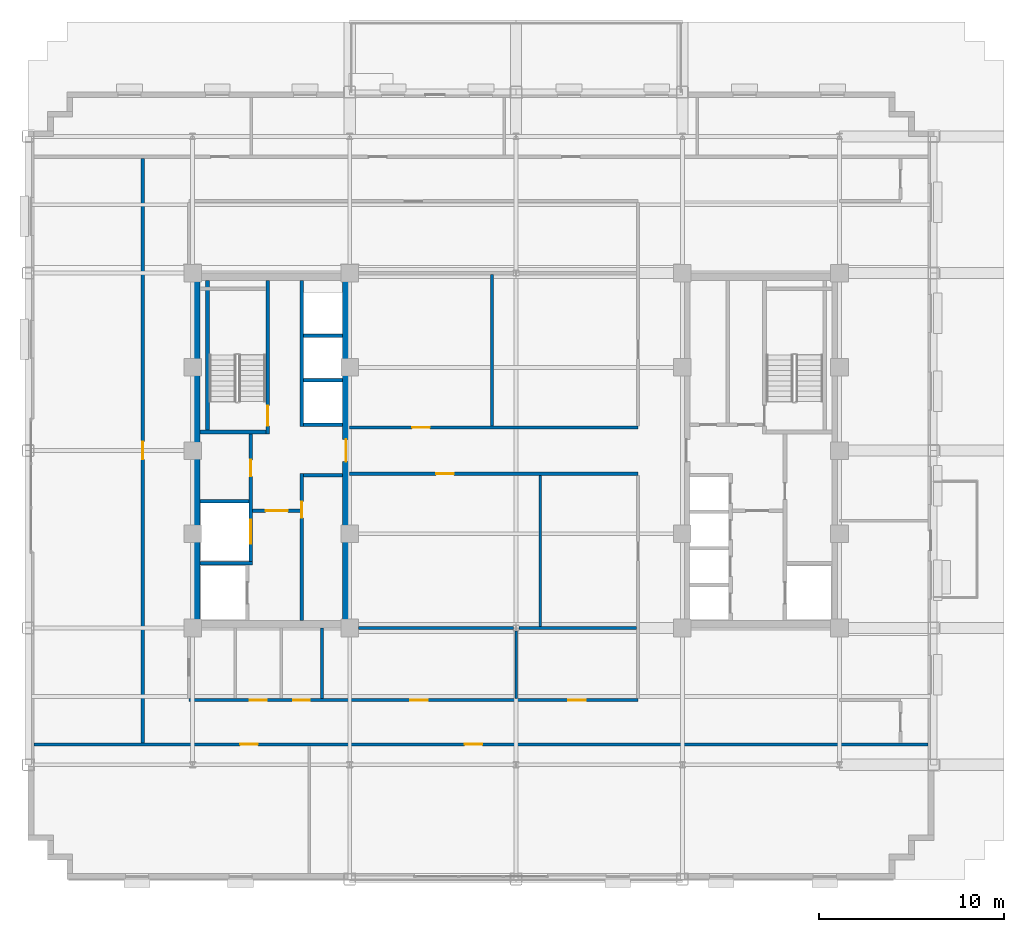
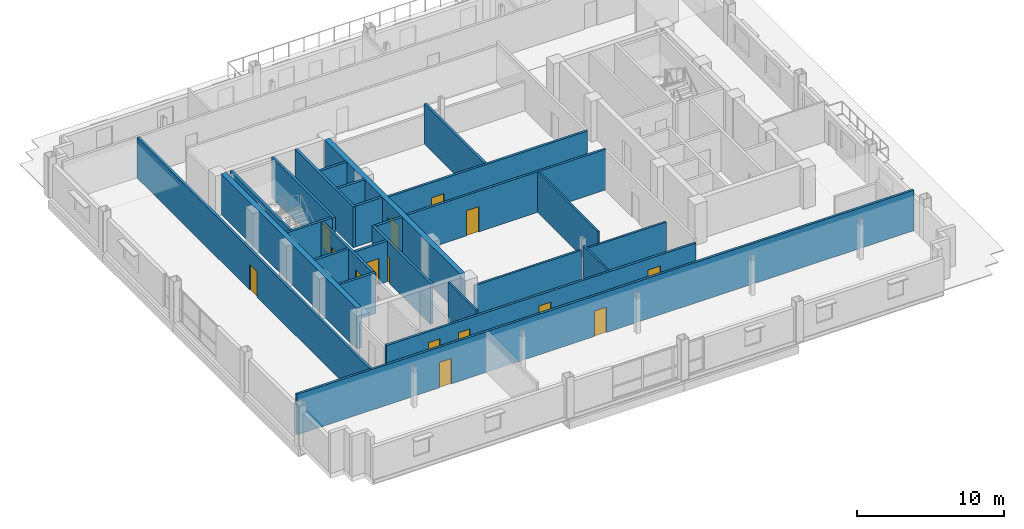
# One storey, part 7 of 17: 26 walls, 15 doors, 15 openings.
"""IFC4 building model written with IfcOpenShell, lengths in metres."""

from ifc_helpers import new_model, si_unit, direction, frame, frame_2d, origin, place, context, subcontext, project, spatial, rectangle, extrude, source, transform, mapped, material, layer, layer_set, type_object, type_shapes, element, fill, save


model = new_model("IFC4")

# Units and contexts
model_context = context("Model", 3, precision=1e-05, world=origin(), true_north=direction((0.0, 1.0)))
body_context = subcontext(model_context, "Body", "Model", "MODEL_VIEW")
ifc_project = project(units=[si_unit("LENGTHUNIT", "METRE"), si_unit("AREAUNIT", "SQUARE_METRE"), si_unit("VOLUMEUNIT", "CUBIC_METRE"), si_unit("PLANEANGLEUNIT", "RADIAN"), si_unit("MASSUNIT", "GRAM", prefix="KILO")], contexts=[model_context])

# Site, building, storey
site_placement = place(None, origin())
site = spatial("IfcSite", under=ifc_project, at=site_placement, CompositionType="ELEMENT")
building_placement = place(site_placement, origin())
building = spatial("IfcBuilding", under=site, at=building_placement, Name="Nuvemarco Arch Tower", CompositionType="ELEMENT")
storey_placement = place(building_placement, frame((0.0, 0.0, 167.64990234375)))
storey = spatial("IfcBuildingStorey", under=building, at=storey_placement, Name="L44", CompositionType="ELEMENT", Elevation=167.64990234375)

# Wall
ifc_material_1 = material(Name="Concrete C60/75", Category="concrete")
ifc_layer_1 = layer(ifc_material_1, 0.39990234375, Name="WL-CORE-400")
ifc_layer_set_1 = layer_set([ifc_layer_1], Name="Concrete C60/75")
wall_type_1 = type_object("IfcWallType", Name="WL-CORE-400", PredefinedType="SHEAR", material=ifc_layer_set_1)
wall_1_placement = place(storey_placement, frame((-17.300048828125, -9.205078125, 0.0), z_axis=(0.0, 0.0, 1.0), x_axis=(0.0, 1.0, 0.0)))
element("IfcWall", 1, at=wall_1_placement, inside=storey, type_object=wall_type_1, Name="L44 W-core shear wall W", PredefinedType="SHEAR", context=body_context, shape_type="SweptSolid", body=[
    extrude(rectangle(XDim=18.41015625, YDim=0.39990234375, at=frame_2d((9.205078125, 0.0))), origin(), (0.0, 0.0, 1.0), 3.3701171875),
])

# Wall, opening, door
wall_2_placement = place(storey_placement, frame((-9.199951171875, -9.205078125, 0.0), z_axis=(0.0, 0.0, 1.0), x_axis=(0.0, 1.0, 0.0)))
wall_2 = element("IfcWall", 2, at=wall_2_placement, inside=storey, type_object=wall_type_1, Name="L44 W-core shear wall E", PredefinedType="SHEAR", context=body_context, shape_type="SweptSolid", body=[
    extrude(rectangle(XDim=18.41015625, YDim=0.39990234375, at=frame_2d((9.205078125, 0.0))), origin(), (0.0, 0.0, 1.0), 3.3701171875),
])
opening_1_placement = place(wall_2_placement, frame((8.60498046875, 0.0, 0.0)))
opening_1 = element("IfcOpeningElement", 3, at=opening_1_placement, cuts=wall_2, Name="Opening FD-2", PredefinedType="OPENING", context=body_context, shape_type="SweptSolid", body=[
    extrude(rectangle(XDim=1.199951171875, YDim=2.14990234375, at=frame_2d((0.60009765625, 1.074951171875))), frame((0.0, 0.2099609375, 0.0), z_axis=(0.0, -1.0, 0.0), x_axis=(1.0, 0.0, 0.0)), (0.0, 0.0, 1.0), 0.419921875),
])
ifc_material_2 = material(Name="Anodised steel fire door", Category="steel")
door_type_1 = type_object("IfcDoorType", Name="DR-FFLOB-FD", OperationType="NOTDEFINED", PredefinedType="DOOR", material=ifc_material_2)
shared_shape_1 = source(origin(), body_context, "Body", "SweptSolid", [
    extrude(rectangle(XDim=1.199951171875, YDim=2.14990234375, at=frame_2d((0.60009765625, 1.074951171875))), frame((0.0, 0.02490234375, 0.0), z_axis=(0.0, -1.0, 0.0), x_axis=(1.0, 0.0, 0.0)), (0.0, 0.0, 1.0), 0.050048828125),
])
type_shapes(door_type_1, [shared_shape_1])
door_1_placement = place(opening_1_placement, origin())
door_1 = element("IfcDoor", 4, at=door_1_placement, inside=storey, type_object=door_type_1, Name="L44 door FD-L44-WCORE-E", OperationType="SINGLE_SWING_RIGHT", OverallHeight=2.14990234375, OverallWidth=1.199951171875, PredefinedType="DOOR", context=body_context, shape_type="MappedRepresentation", body=[
    mapped(shared_shape_1, transform((0.0, 0.0, 0.0), scale=1.0)),
])
fill(opening_1, door_1)

# Wall, openings, doors
ifc_material_3 = material(Name="Fire-rated gypsum drywall partition")
ifc_layer_2 = layer(ifc_material_3, 0.179931640625, Name="WL-CORR-180")
ifc_layer_set_2 = layer_set([ifc_layer_2], Name="Fire-rated gypsum drywall partition")
wall_type_2 = type_object("IfcWallType", Name="WL-CORR-180", PredefinedType="PARTITIONING", material=ifc_layer_set_2)
wall_3_placement = place(storey_placement, frame((-26.090087890625, -15.89990234375, 0.0), z_axis=(0.0, 0.0, 1.0), x_axis=(1.0, 0.0, 0.0)))
wall_3 = element("IfcWall", 5, at=wall_3_placement, inside=storey, type_object=wall_type_2, Name="L44 interior wall IW-L44-001", PredefinedType="PARTITIONING", context=body_context, shape_type="SweptSolid", body=[
    extrude(rectangle(XDim=48.380126953125, YDim=0.179931640625, at=frame_2d((24.18994140625, 0.0))), origin(), (0.0, 0.0, 1.0), 3.360107421875),
])
opening_2_placement = place(wall_3_placement, frame((23.31005859375, 0.0, 0.0)))
opening_2 = element("IfcOpeningElement", 6, at=opening_2_placement, cuts=wall_3, Name="Opening FD-5", PredefinedType="OPENING", context=body_context, shape_type="SweptSolid", body=[
    extrude(rectangle(XDim=0.9599609375, YDim=2.10009765625, at=frame_2d((0.47998046875, 1.050048828125))), frame((0.0, 0.099853515625, 0.0), z_axis=(0.0, -1.0, 0.0), x_axis=(1.0, 0.0, 0.0)), (0.0, 0.0, 1.0), 0.199951171875),
])
opening_3_placement = place(wall_3_placement, frame((11.159912109375, 0.0, 0.0)))
opening_3 = element("IfcOpeningElement", 7, at=opening_3_placement, cuts=wall_3, Name="Opening FD-5", PredefinedType="OPENING", context=body_context, shape_type="SweptSolid", body=[
    extrude(rectangle(XDim=0.9599609375, YDim=2.10009765625, at=frame_2d((0.47998046875, 1.050048828125))), frame((0.0, 0.099853515625, 0.0), z_axis=(0.0, -1.0, 0.0), x_axis=(1.0, 0.0, 0.0)), (0.0, 0.0, 1.0), 0.199951171875),
])
ifc_material_4 = material(Name="Timber fire door", Category="wood")
door_type_2 = type_object("IfcDoorType", Name="DR-CORR-FD", OperationType="NOTDEFINED", PredefinedType="DOOR", material=ifc_material_4)
shared_shape_2 = source(origin(), body_context, "Body", "SweptSolid", [
    extrude(rectangle(XDim=0.9599609375, YDim=2.10009765625, at=frame_2d((0.47998046875, 1.050048828125))), frame((0.0, 0.02490234375, 0.0), z_axis=(0.0, -1.0, 0.0), x_axis=(1.0, 0.0, 0.0)), (0.0, 0.0, 1.0), 0.050048828125),
])
type_shapes(door_type_2, [shared_shape_2])
door_2_placement = place(opening_2_placement, origin())
door_2 = element("IfcDoor", 8, at=door_2_placement, inside=storey, type_object=door_type_2, Name="L44 door DR-L44-S_2", OperationType="SINGLE_SWING_RIGHT", OverallHeight=2.10009765625, OverallWidth=0.9599609375, PredefinedType="DOOR", context=body_context, shape_type="MappedRepresentation", body=[
    mapped(shared_shape_2, transform((0.0, 0.0, 0.0), scale=1.0)),
])
fill(opening_2, door_2)
door_3_placement = place(opening_3_placement, origin())
door_3 = element("IfcDoor", 9, at=door_3_placement, inside=storey, type_object=door_type_2, Name="L44 door DR-L44-S_1", OperationType="SINGLE_SWING_RIGHT", OverallHeight=2.10009765625, OverallWidth=0.9599609375, PredefinedType="DOOR", context=body_context, shape_type="MappedRepresentation", body=[
    mapped(shared_shape_2, transform((0.0, 0.0, 0.0), scale=1.0)),
])
fill(opening_3, door_3)

wall_4_placement = place(storey_placement, frame((-17.699951171875, -13.5, 0.0), z_axis=(0.0, 0.0, 1.0), x_axis=(1.0, 0.0, 0.0)))
wall_4 = element("IfcWall", 10, at=wall_4_placement, inside=storey, type_object=wall_type_2, Name="L44 interior wall IW-L44-002", PredefinedType="PARTITIONING", context=body_context, shape_type="SweptSolid", body=[
    extrude(rectangle(XDim=24.300048828125, YDim=0.179931640625, at=frame_2d((12.14990234375, 0.0))), origin(), (0.0, 0.0, 1.0), 3.008056640625),
])
opening_4_placement = place(wall_4_placement, frame((11.969970703125, 0.0, 0.0)))
opening_4 = element("IfcOpeningElement", 11, at=opening_4_placement, cuts=wall_4, Name="Opening FD-5", PredefinedType="OPENING", context=body_context, shape_type="SweptSolid", body=[
    extrude(rectangle(XDim=0.9599609375, YDim=2.10009765625, at=frame_2d((0.47998046875, 1.050048828125))), frame((0.0, 0.099853515625, 0.0), z_axis=(0.0, -1.0, 0.0), x_axis=(1.0, 0.0, 0.0)), (0.0, 0.0, 1.0), 0.199951171875),
])
opening_5_placement = place(wall_4_placement, frame((20.52001953125, 0.0, 0.0)))
opening_5 = element("IfcOpeningElement", 12, at=opening_5_placement, cuts=wall_4, Name="Opening FD-5", PredefinedType="OPENING", context=body_context, shape_type="SweptSolid", body=[
    extrude(rectangle(XDim=0.9599609375, YDim=2.10009765625, at=frame_2d((0.47998046875, 1.050048828125))), frame((0.0, 0.099853515625, 0.0), z_axis=(0.0, -1.0, 0.0), x_axis=(1.0, 0.0, 0.0)), (0.0, 0.0, 1.0), 0.199951171875),
])
opening_6_placement = place(wall_4_placement, frame((3.300048828125, 0.0, 0.0)))
opening_6 = element("IfcOpeningElement", 13, at=opening_6_placement, cuts=wall_4, Name="Opening ID-3", PredefinedType="OPENING", context=body_context, shape_type="SweptSolid", body=[
    extrude(rectangle(XDim=0.89990234375, YDim=2.10009765625, at=frame_2d((0.449951171875, 1.050048828125))), frame((0.0, 0.099853515625, 0.0), z_axis=(0.0, -1.0, 0.0), x_axis=(1.0, 0.0, 0.0)), (0.0, 0.0, 1.0), 0.199951171875),
])
opening_7_placement = place(wall_4_placement, frame((5.64990234375, 0.0, 0.0)))
opening_7 = element("IfcOpeningElement", 14, at=opening_7_placement, cuts=wall_4, Name="Opening ID-3", PredefinedType="OPENING", context=body_context, shape_type="SweptSolid", body=[
    extrude(rectangle(XDim=0.89990234375, YDim=2.10009765625, at=frame_2d((0.449951171875, 1.050048828125))), frame((0.0, 0.099853515625, 0.0), z_axis=(0.0, -1.0, 0.0), x_axis=(1.0, 0.0, 0.0)), (0.0, 0.0, 1.0), 0.199951171875),
])
door_4_placement = place(opening_4_placement, origin())
door_4 = element("IfcDoor", 15, at=door_4_placement, inside=storey, type_object=door_type_2, Name="L44 door DR-L44-IN_S1", OperationType="SINGLE_SWING_LEFT", OverallHeight=2.10009765625, OverallWidth=0.9599609375, PredefinedType="DOOR", context=body_context, shape_type="MappedRepresentation", body=[
    mapped(shared_shape_2, transform((0.0, 0.0, 0.0), scale=1.0)),
])
fill(opening_4, door_4)
door_5_placement = place(opening_5_placement, origin())
door_5 = element("IfcDoor", 16, at=door_5_placement, inside=storey, type_object=door_type_2, Name="L44 door DR-L44-IN_S2", OperationType="SINGLE_SWING_LEFT", OverallHeight=2.10009765625, OverallWidth=0.9599609375, PredefinedType="DOOR", context=body_context, shape_type="MappedRepresentation", body=[
    mapped(shared_shape_2, transform((0.0, 0.0, 0.0), scale=1.0)),
])
fill(opening_5, door_5)
ifc_material_5 = material(Name="Veneered oak timber fire door", Category="wood")
door_type_3 = type_object("IfcDoorType", Name="DR-WC-ACC", OperationType="NOTDEFINED", PredefinedType="DOOR", material=ifc_material_5)
shared_shape_3 = source(origin(), body_context, "Body", "SweptSolid", [
    extrude(rectangle(XDim=0.89990234375, YDim=2.10009765625, at=frame_2d((0.449951171875, 1.050048828125))), frame((0.0, 0.02490234375, 0.0), z_axis=(0.0, -1.0, 0.0), x_axis=(1.0, 0.0, 0.0)), (0.0, 0.0, 1.0), 0.050048828125),
])
type_shapes(door_type_3, [shared_shape_3])
door_6_placement = place(opening_6_placement, origin())
door_6 = element("IfcDoor", 17, at=door_6_placement, inside=storey, type_object=door_type_3, Name="L44 door DR-L44-WC_F", OperationType="SINGLE_SWING_LEFT", OverallHeight=2.10009765625, OverallWidth=0.89990234375, PredefinedType="DOOR", context=body_context, shape_type="MappedRepresentation", body=[
    mapped(shared_shape_3, transform((0.0, 0.0, 0.0), scale=1.0)),
])
fill(opening_6, door_6)
door_7_placement = place(opening_7_placement, origin())
door_7 = element("IfcDoor", 18, at=door_7_placement, inside=storey, type_object=door_type_3, Name="L44 door DR-L44-WC_ACC", OperationType="SINGLE_SWING_RIGHT", OverallHeight=2.10009765625, OverallWidth=0.89990234375, PredefinedType="DOOR", context=body_context, shape_type="MappedRepresentation", body=[
    mapped(shared_shape_3, transform((0.0, 0.0, 0.0), scale=1.0)),
])
fill(opening_7, door_7)

# Wall, opening, door
wall_5_placement = place(storey_placement, frame((-9.0, -1.25, 0.0), z_axis=(0.0, 0.0, 1.0), x_axis=(1.0, 0.0, 0.0)))
wall_5 = element("IfcWall", 19, at=wall_5_placement, inside=storey, type_object=wall_type_2, Name="L44 interior wall IW-L44-007", PredefinedType="PARTITIONING", context=body_context, shape_type="SweptSolid", body=[
    extrude(rectangle(XDim=15.60009765625, YDim=0.179931640625, at=frame_2d((7.800048828125, 0.0))), origin(), (0.0, 0.0, 1.0), 3.360107421875),
])
opening_8_placement = place(wall_5_placement, frame((4.669921875, 0.0, 0.0)))
opening_8 = element("IfcOpeningElement", 20, at=opening_8_placement, cuts=wall_5, Name="Opening FD-5", PredefinedType="OPENING", context=body_context, shape_type="SweptSolid", body=[
    extrude(rectangle(XDim=0.9599609375, YDim=2.10009765625, at=frame_2d((0.47998046875, 1.050048828125))), frame((0.0, 0.099853515625, 0.0), z_axis=(0.0, -1.0, 0.0), x_axis=(1.0, 0.0, 0.0)), (0.0, 0.0, 1.0), 0.199951171875),
])
door_8_placement = place(opening_8_placement, origin())
door_8 = element("IfcDoor", 21, at=door_8_placement, inside=storey, type_object=door_type_2, Name="L44 door DR-L44-C_SW", OperationType="SINGLE_SWING_RIGHT", OverallHeight=2.10009765625, OverallWidth=0.9599609375, PredefinedType="DOOR", context=body_context, shape_type="MappedRepresentation", body=[
    mapped(shared_shape_2, transform((0.0, 0.0, 0.0), scale=1.0)),
])
fill(opening_8, door_8)

wall_6_placement = place(storey_placement, frame((-9.0, 1.25, 0.0), z_axis=(0.0, 0.0, 1.0), x_axis=(1.0, 0.0, 0.0)))
wall_6 = element("IfcWall", 22, at=wall_6_placement, inside=storey, type_object=wall_type_2, Name="L44 interior wall IW-L44-008", PredefinedType="PARTITIONING", context=body_context, shape_type="SweptSolid", body=[
    extrude(rectangle(XDim=15.60009765625, YDim=0.179931640625, at=frame_2d((7.800048828125, 0.0))), origin(), (0.0, 0.0, 1.0), 3.360107421875),
])
opening_9_placement = place(wall_6_placement, frame((3.3701171875, 0.0, 0.0)))
opening_9 = element("IfcOpeningElement", 23, at=opening_9_placement, cuts=wall_6, Name="Opening FD-5", PredefinedType="OPENING", context=body_context, shape_type="SweptSolid", body=[
    extrude(rectangle(XDim=0.9599609375, YDim=2.10009765625, at=frame_2d((0.47998046875, 1.050048828125))), frame((0.0, 0.099853515625, 0.0), z_axis=(0.0, -1.0, 0.0), x_axis=(1.0, 0.0, 0.0)), (0.0, 0.0, 1.0), 0.199951171875),
])
door_9_placement = place(opening_9_placement, origin())
door_9 = element("IfcDoor", 24, at=door_9_placement, inside=storey, type_object=door_type_2, Name="L44 door DR-L44-C_NW", OperationType="SINGLE_SWING_LEFT", OverallHeight=2.10009765625, OverallWidth=0.9599609375, PredefinedType="DOOR", context=body_context, shape_type="MappedRepresentation", body=[
    mapped(shared_shape_2, transform((0.0, 0.0, 0.0), scale=1.0)),
])
fill(opening_9, door_9)

wall_7_placement = place(storey_placement, frame((-20.199951171875, -15.81396484375, 0.0), z_axis=(0.0, 0.0, 1.0), x_axis=(0.0, 1.0, 0.0)))
wall_7 = element("IfcWall", 25, at=wall_7_placement, inside=storey, type_object=wall_type_2, Name="L44 interior wall IW-L44-014", PredefinedType="PARTITIONING", context=body_context, shape_type="SweptSolid", body=[
    extrude(rectangle(XDim=31.6279296875, YDim=0.179931640625, at=frame_2d((15.81396484375, 0.0))), origin(), (0.0, 0.0, 1.0), 3.360107421875),
])
opening_10_placement = place(wall_7_placement, frame((15.333984375, 0.0, 0.0)))
opening_10 = element("IfcOpeningElement", 26, at=opening_10_placement, cuts=wall_7, Name="Opening FD-5", PredefinedType="OPENING", context=body_context, shape_type="SweptSolid", body=[
    extrude(rectangle(XDim=0.9599609375, YDim=2.10009765625, at=frame_2d((0.47998046875, 1.050048828125))), frame((0.0, 0.099853515625, 0.0), z_axis=(0.0, -1.0, 0.0), x_axis=(1.0, 0.0, 0.0)), (0.0, 0.0, 1.0), 0.199951171875),
])
door_10_placement = place(opening_10_placement, origin())
door_10 = element("IfcDoor", 27, at=door_10_placement, inside=storey, type_object=door_type_2, Name="L44 door DR-L44-W_1", OperationType="SINGLE_SWING_RIGHT", OverallHeight=2.10009765625, OverallWidth=0.9599609375, PredefinedType="DOOR", context=body_context, shape_type="MappedRepresentation", body=[
    mapped(shared_shape_2, transform((0.0, 0.0, 0.0), scale=1.0)),
])
fill(opening_10, door_10)

# Walls
wall_8_placement = place(storey_placement, frame((-1.300048828125, 1.3359375, 0.0), z_axis=(0.0, 0.0, 1.0), x_axis=(0.0, 1.0, 0.0)))
element("IfcWall", 28, at=wall_8_placement, inside=storey, type_object=wall_type_2, Name="L44 interior wall IW-L44-022", PredefinedType="PARTITIONING", context=body_context, shape_type="SweptSolid", body=[
    extrude(rectangle(XDim=8.177978515625, YDim=0.179931640625, at=frame_2d((4.0888671875, 0.0))), origin(), (0.0, 0.0, 1.0), 3.360107421875),
])
ifc_material_6 = material(Name="Gypsum plasterboard partition")
ifc_layer_3 = layer(ifc_material_6, 0.139892578125, Name="WL-ROOM-140")
ifc_layer_set_3 = layer_set([ifc_layer_3], Name="Gypsum plasterboard partition")
wall_type_3 = type_object("IfcWallType", Name="WL-ROOM-140", PredefinedType="PARTITIONING", material=ifc_layer_set_3)
wall_9_placement = place(storey_placement, frame((0.0, -13.4140625, 0.0), z_axis=(0.0, 0.0, 1.0), x_axis=(0.0, 1.0, 0.0)))
element("IfcWall", 29, at=wall_9_placement, inside=storey, type_object=wall_type_3, Name="L44 interior wall IW-L44-024", PredefinedType="PARTITIONING", context=body_context, shape_type="SweptSolid", body=[
    extrude(rectangle(XDim=3.6630859375, YDim=0.139892578125, at=frame_2d((1.83154296875, 0.0))), origin(), (0.0, 0.0, 1.0), 2.816162109375),
])
wall_10_placement = place(storey_placement, frame((1.300048828125, -9.52392578125, 0.0), z_axis=(0.0, 0.0, 1.0), x_axis=(0.0, 1.0, 0.0)))
element("IfcWall", 30, at=wall_10_placement, inside=storey, type_object=wall_type_3, Name="L44 interior wall IW-L44-025", PredefinedType="PARTITIONING", context=body_context, shape_type="SweptSolid", body=[
    extrude(rectangle(XDim=8.18798828125, YDim=0.139892578125, at=frame_2d((4.093994140625, 0.0))), origin(), (0.0, 0.0, 1.0), 3.360107421875),
])

# Wall, opening, door
ifc_material_7 = material(Name="Concrete C50/60", Category="concrete")
ifc_layer_4 = layer(ifc_material_7, 0.199951171875, Name="WL-SHAFT-220")
ifc_layer_set_4 = layer_set([ifc_layer_4], Name="Concrete C50/60")
wall_type_4 = type_object("IfcWallType", Name="WL-SHAFT-220", PredefinedType="SHEAR", material=ifc_layer_set_4)
wall_11_placement = place(storey_placement, frame((-13.43994140625, 0.89990234375, 0.0), z_axis=(0.0, 0.0, 1.0), x_axis=(0.0, 1.0, 0.0)))
wall_11 = element("IfcWall", 31, at=wall_11_placement, inside=storey, type_object=wall_type_4, Name="L44 structural shaft wall SW-L44-W-ST1E", PredefinedType="SHEAR", context=body_context, shape_type="SweptSolid", body=[
    extrude(rectangle(XDim=8.30517578125, YDim=0.199951171875, at=frame_2d((4.152587890625, 0.0))), origin(), (0.0, 0.0, 1.0), 3.3701171875),
])
opening_11_placement = place(wall_11_placement, frame((1.530029296875, 0.0, 0.0), z_axis=(0.0, 0.0, 1.0), x_axis=(-1.0, 0.0, 0.0)))
opening_11 = element("IfcOpeningElement", 32, at=opening_11_placement, cuts=wall_11, Name="Opening FD-1", PredefinedType="OPENING", context=body_context, shape_type="SweptSolid", body=[
    extrude(rectangle(XDim=1.10009765625, YDim=2.14990234375, at=frame_2d((0.550048828125, 1.074951171875))), frame((0.0, 0.10986328125, 0.0), z_axis=(0.0, -1.0, 0.0), x_axis=(1.0, 0.0, 0.0)), (0.0, 0.0, 1.0), 0.219970703125),
])
door_type_4 = type_object("IfcDoorType", Name="DR-STAIR-FD", OperationType="NOTDEFINED", PredefinedType="DOOR", material=ifc_material_2)
shared_shape_4 = source(origin(), body_context, "Body", "SweptSolid", [
    extrude(rectangle(XDim=1.10009765625, YDim=2.14990234375, at=frame_2d((0.550048828125, 1.074951171875))), frame((0.0, 0.02490234375, 0.0), z_axis=(0.0, -1.0, 0.0), x_axis=(1.0, 0.0, 0.0)), (0.0, 0.0, 1.0), 0.050048828125),
])
type_shapes(door_type_4, [shared_shape_4])
door_11_placement = place(opening_11_placement, origin())
door_11 = element("IfcDoor", 33, at=door_11_placement, inside=storey, type_object=door_type_4, Name="L44 door FD-L44-ST1", OperationType="SINGLE_SWING_LEFT", OverallHeight=2.14990234375, OverallWidth=1.10009765625, PredefinedType="DOOR", context=body_context, shape_type="MappedRepresentation", body=[
    mapped(shared_shape_4, transform((0.0, 0.0, 0.0), scale=1.0)),
])
fill(opening_11, door_11)

# Walls
wall_12_placement = place(storey_placement, frame((-17.10498046875, 1.0, 0.0), z_axis=(0.0, 0.0, 1.0), x_axis=(1.0, 0.0, 0.0)))
element("IfcWall", 34, at=wall_12_placement, inside=storey, type_object=wall_type_4, Name="L44 structural shaft wall SW-L44-W-ST1S", PredefinedType="SHEAR", context=body_context, shape_type="SweptSolid", body=[
    extrude(rectangle(XDim=3.570068359375, YDim=0.199951171875, at=frame_2d((1.78515625, 0.0))), origin(), (0.0, 0.0, 1.0), 3.3701171875),
])
wall_13_placement = place(storey_placement, frame((-16.699951171875, 1.094970703125, 0.0), z_axis=(0.0, 0.0, 1.0), x_axis=(0.0, 1.0, 0.0)))
element("IfcWall", 35, at=wall_13_placement, inside=storey, type_object=wall_type_4, Name="L44 structural shaft wall SW-L44-W-ST1W", PredefinedType="SHEAR", context=body_context, shape_type="SweptSolid", body=[
    extrude(rectangle(XDim=8.110107421875, YDim=0.199951171875, at=frame_2d((4.05517578125, 0.0))), origin(), (0.0, 0.0, 1.0), 3.3701171875),
])

# Wall, openings, doors
wall_14_placement = place(storey_placement, frame((-14.35009765625, -6.199951171875, 0.0), z_axis=(0.0, 0.0, 1.0), x_axis=(0.0, 1.0, 0.0)))
wall_14 = element("IfcWall", 36, at=wall_14_placement, inside=storey, type_object=wall_type_4, Name="L44 structural shaft wall SW-L44-W-SVE", PredefinedType="SHEAR", context=body_context, shape_type="SweptSolid", body=[
    extrude(rectangle(XDim=7.10498046875, YDim=0.199951171875, at=frame_2d((3.552490234375, 0.0))), origin(), (0.0, 0.0, 1.0), 3.3701171875),
])
opening_12_placement = place(wall_14_placement, frame((5.68994140625, 0.0, 0.0), z_axis=(0.0, 0.0, 1.0), x_axis=(-1.0, 0.0, 0.0)))
opening_12 = element("IfcOpeningElement", 37, at=opening_12_placement, cuts=wall_14, Name="Opening FD-4", PredefinedType="OPENING", context=body_context, shape_type="SweptSolid", body=[
    extrude(rectangle(XDim=0.8798828125, YDim=2.10009765625, at=frame_2d((0.43994140625, 1.050048828125))), frame((0.0, 0.10986328125, 0.0), z_axis=(0.0, -1.0, 0.0), x_axis=(1.0, 0.0, 0.0)), (0.0, 0.0, 1.0), 0.219970703125),
])
opening_13_placement = place(wall_14_placement, frame((1.14990234375, 0.0, 0.0)))
opening_13 = element("IfcOpeningElement", 38, at=opening_13_placement, cuts=wall_14, Name="Opening LD-3", PredefinedType="OPENING", context=body_context, shape_type="SweptSolid", body=[
    extrude(rectangle(XDim=1.300048828125, YDim=2.199951171875, at=frame_2d((0.64990234375, 1.10009765625))), frame((0.0, 0.10986328125, 0.0), z_axis=(0.0, -1.0, 0.0), x_axis=(1.0, 0.0, 0.0)), (0.0, 0.0, 1.0), 0.219970703125),
])
door_type_5 = type_object("IfcDoorType", Name="DR-RISER-FD", OperationType="NOTDEFINED", PredefinedType="DOOR", material=ifc_material_2)
shared_shape_5 = source(origin(), body_context, "Body", "SweptSolid", [
    extrude(rectangle(XDim=0.8798828125, YDim=2.10009765625, at=frame_2d((0.43994140625, 1.050048828125))), frame((0.0, 0.02490234375, 0.0), z_axis=(0.0, -1.0, 0.0), x_axis=(1.0, 0.0, 0.0)), (0.0, 0.0, 1.0), 0.050048828125),
])
type_shapes(door_type_5, [shared_shape_5])
door_12_placement = place(opening_12_placement, origin())
door_12 = element("IfcDoor", 39, at=door_12_placement, inside=storey, type_object=door_type_5, Name="L44 door FD-L44-WRIS", OperationType="SINGLE_SWING_LEFT", OverallHeight=2.10009765625, OverallWidth=0.8798828125, PredefinedType="DOOR", context=body_context, shape_type="MappedRepresentation", body=[
    mapped(shared_shape_5, transform((0.0, 0.0, 0.0), scale=1.0)),
])
fill(opening_12, door_12)
ifc_material_8 = material(Name="Stainless steel lift door", Category="steel")
door_type_6 = type_object("IfcDoorType", Name="DR-LIFT-SERV", OperationType="DOUBLE_DOOR_SLIDING", PredefinedType="DOOR", material=ifc_material_8)
shared_shape_6 = source(origin(), body_context, "Body", "SweptSolid", [
    extrude(rectangle(XDim=1.300048828125, YDim=2.199951171875, at=frame_2d((0.64990234375, 1.10009765625))), frame((0.0, 0.02490234375, 0.0), z_axis=(0.0, -1.0, 0.0), x_axis=(1.0, 0.0, 0.0)), (0.0, 0.0, 1.0), 0.050048828125),
])
type_shapes(door_type_6, [shared_shape_6])
door_13_placement = place(opening_13_placement, origin())
door_13 = element("IfcDoor", 40, at=door_13_placement, inside=storey, type_object=door_type_6, Name="L44 Lift landing sliding door SVL-1", OperationType="DOUBLE_DOOR_SLIDING", OverallHeight=2.199951171875, OverallWidth=1.300048828125, PredefinedType="DOOR", context=body_context, shape_type="MappedRepresentation", body=[
    mapped(shared_shape_6, transform((0.0, 0.0, 0.0), scale=1.0)),
])
fill(opening_13, door_13)

# Walls
wall_15_placement = place(storey_placement, frame((-17.10498046875, -6.10009765625, 0.0), z_axis=(0.0, 0.0, 1.0), x_axis=(1.0, 0.0, 0.0)))
element("IfcWall", 41, at=wall_15_placement, inside=storey, type_object=wall_type_4, Name="L44 structural shaft wall SW-L44-W-SH1", PredefinedType="SHEAR", context=body_context, shape_type="SweptSolid", body=[
    extrude(rectangle(XDim=2.85498046875, YDim=0.199951171875, at=frame_2d((1.427490234375, 0.0))), origin(), (0.0, 0.0, 1.0), 3.3701171875),
])
wall_16_placement = place(storey_placement, frame((-17.10498046875, -2.75, 0.0), z_axis=(0.0, 0.0, 1.0), x_axis=(1.0, 0.0, 0.0)))
element("IfcWall", 42, at=wall_16_placement, inside=storey, type_object=wall_type_4, Name="L44 structural shaft wall SW-L44-W-SH2", PredefinedType="SHEAR", context=body_context, shape_type="SweptSolid", body=[
    extrude(rectangle(XDim=2.659912109375, YDim=0.199951171875, at=frame_2d((1.330078125, 0.0))), origin(), (0.0, 0.0, 1.0), 3.3701171875),
])

# Wall, opening, door
wall_17_placement = place(storey_placement, frame((-11.60009765625, -9.205078125, 0.0), z_axis=(0.0, 0.0, 1.0), x_axis=(0.0, 1.0, 0.0)))
wall_17 = element("IfcWall", 43, at=wall_17_placement, inside=storey, type_object=wall_type_4, Name="L44 structural shaft wall SW-L44-W-PLW", PredefinedType="SHEAR", context=body_context, shape_type="SweptSolid", body=[
    extrude(rectangle(XDim=7.97509765625, YDim=0.199951171875, at=frame_2d((3.987548828125, 0.0))), origin(), (0.0, 0.0, 1.0), 3.3701171875),
])
opening_14_placement = place(wall_17_placement, frame((5.56494140625, 0.0, 0.0)))
opening_14 = element("IfcOpeningElement", 44, at=opening_14_placement, cuts=wall_17, Name="Opening FD-4", PredefinedType="OPENING", context=body_context, shape_type="SweptSolid", body=[
    extrude(rectangle(XDim=0.8798828125, YDim=2.10009765625, at=frame_2d((0.43994140625, 1.050048828125))), frame((0.0, 0.10986328125, 0.0), z_axis=(0.0, -1.0, 0.0), x_axis=(1.0, 0.0, 0.0)), (0.0, 0.0, 1.0), 0.219970703125),
])
door_14_placement = place(opening_14_placement, origin())
door_14 = element("IfcDoor", 45, at=door_14_placement, inside=storey, type_object=door_type_5, Name="L44 door FD-L44-WREC1", OperationType="SINGLE_SWING_LEFT", OverallHeight=2.10009765625, OverallWidth=0.8798828125, PredefinedType="DOOR", context=body_context, shape_type="MappedRepresentation", body=[
    mapped(shared_shape_5, transform((0.0, 0.0, 0.0), scale=1.0)),
])
fill(opening_14, door_14)

wall_18_placement = place(storey_placement, frame((-14.2548828125, -3.25, 0.0), z_axis=(0.0, 0.0, 1.0), x_axis=(1.0, 0.0, 0.0)))
wall_18 = element("IfcWall", 46, at=wall_18_placement, inside=storey, type_object=wall_type_4, Name="L44 structural shaft wall SW-L44-W-FFN", PredefinedType="SHEAR", context=body_context, shape_type="SweptSolid", body=[
    extrude(rectangle(XDim=2.559814453125, YDim=0.199951171875, at=frame_2d((1.27978515625, 0.0))), origin(), (0.0, 0.0, 1.0), 3.3701171875),
])
opening_15_placement = place(wall_18_placement, frame((0.705078125, 0.0, 0.0)))
opening_15 = element("IfcOpeningElement", 47, at=opening_15_placement, cuts=wall_18, Name="Opening FD-2", PredefinedType="OPENING", context=body_context, shape_type="SweptSolid", body=[
    extrude(rectangle(XDim=1.199951171875, YDim=2.14990234375, at=frame_2d((0.60009765625, 1.074951171875))), frame((0.0, 0.10986328125, 0.0), z_axis=(0.0, -1.0, 0.0), x_axis=(1.0, 0.0, 0.0)), (0.0, 0.0, 1.0), 0.219970703125),
])
door_15_placement = place(opening_15_placement, origin())
door_15 = element("IfcDoor", 48, at=door_15_placement, inside=storey, type_object=door_type_1, Name="L44 door FD-L44-WFF1", OperationType="SINGLE_SWING_LEFT", OverallHeight=2.14990234375, OverallWidth=1.199951171875, PredefinedType="DOOR", context=body_context, shape_type="MappedRepresentation", body=[
    mapped(shared_shape_1, transform((0.0, 0.0, 0.0), scale=1.0)),
])
fill(opening_15, door_15)

# Walls
wall_19_placement = place(storey_placement, frame((-11.5048828125, -1.330078125, 0.0), z_axis=(0.0, 0.0, 1.0), x_axis=(1.0, 0.0, 0.0)))
element("IfcWall", 49, at=wall_19_placement, inside=storey, type_object=wall_type_4, Name="L44 structural shaft wall SW-L44-W-PLTOP", PredefinedType="SHEAR", context=body_context, shape_type="SweptSolid", body=[
    extrude(rectangle(XDim=2.10986328125, YDim=0.199951171875, at=frame_2d((1.054931640625, 0.0))), origin(), (0.0, 0.0, 1.0), 3.3701171875),
])
wall_20_placement = place(storey_placement, frame((-11.60009765625, 1.300048828125, 0.0), z_axis=(0.0, 0.0, 1.0), x_axis=(0.0, 1.0, 0.0)))
element("IfcWall", 50, at=wall_20_placement, inside=storey, type_object=wall_type_4, Name="L44 structural shaft wall SW-L44-W-PHW", PredefinedType="SHEAR", context=body_context, shape_type="SweptSolid", body=[
    extrude(rectangle(XDim=7.905029296875, YDim=0.199951171875, at=frame_2d((3.95263671875, 0.0))), origin(), (0.0, 0.0, 1.0), 3.3701171875),
])
for number, where, z_axis, x_axis, name in (
    (51, (-11.5048828125, 1.39990234375, 0.0), (0.0, 0.0, 1.0), (1.0, 0.0, 0.0), "L44 structural shaft wall SW-L44-W-PHD1"),
    (52, (-11.5048828125, 3.800048828125, 0.0), (0.0, 0.0, 1.0), (1.0, 0.0, 0.0), "L44 structural shaft wall SW-L44-W-PHD2"),
    (53, (-11.5048828125, 6.219970703125, 0.0), (0.0, 0.0, 1.0), (1.0, 0.0, 0.0), "L44 structural shaft wall SW-L44-W-PHD3"),
):
    element("IfcWall", number, at=place(storey_placement, frame(where, z_axis=z_axis, x_axis=x_axis)), inside=storey, type_object=wall_type_4, Name=name, PredefinedType="SHEAR", context=body_context, shape_type="SweptSolid", body=[
        extrude(rectangle(XDim=2.10986328125, YDim=0.199951171875, at=frame_2d((1.054931640625, 0.0))), origin(), (0.0, 0.0, 1.0), 3.3701171875),
    ])
ifc_material_9 = material(Name="Acoustic gypsum drywall partition")
ifc_layer_5 = layer(ifc_material_9, 0.159912109375, Name="WL-TENANT-160")
ifc_layer_set_5 = layer_set([ifc_layer_5], Name="Acoustic gypsum drywall partition")
wall_type_5 = type_object("IfcWallType", Name="WL-TENANT-160", PredefinedType="PARTITIONING", material=ifc_layer_set_5)
wall_21_placement = place(storey_placement, frame((-8.529052734375, -9.60009765625, 0.0), z_axis=(0.0, 0.0, 1.0), x_axis=(1.0, 0.0, 0.0)))
element("IfcWall", 54, at=wall_21_placement, inside=storey, type_object=wall_type_5, Name="L44 interior wall IW-L44-004", PredefinedType="PARTITIONING", context=body_context, shape_type="SweptSolid", body=[
    extrude(rectangle(XDim=8.378173828125, YDim=0.159912109375, at=frame_2d((4.18896484375, 0.0))), origin(), (0.0, 0.0, 1.0), 2.405029296875),
])
wall_22_placement = place(storey_placement, frame((0.15087890625, -9.60009765625, 0.0), z_axis=(0.0, 0.0, 1.0), x_axis=(1.0, 0.0, 0.0)))
element("IfcWall", 55, at=wall_22_placement, inside=storey, type_object=wall_type_5, Name="L44 interior wall IW-L44-005", PredefinedType="PARTITIONING", context=body_context, shape_type="SweptSolid", body=[
    extrude(rectangle(XDim=6.363037109375, YDim=0.159912109375, at=frame_2d((3.181640625, 0.0))), origin(), (0.0, 0.0, 1.0), 2.405029296875),
])
ifc_material_10 = material(Name="Moisture-resistant gypsum partition")
ifc_layer_6 = layer(ifc_material_10, 0.14990234375, Name="WL-WET-150")
ifc_layer_set_6 = layer_set([ifc_layer_6], Name="Moisture-resistant gypsum partition")
wall_type_6 = type_object("IfcWallType", Name="WL-WET-150", PredefinedType="PARTITIONING", material=ifc_layer_set_6)
wall_23_placement = place(storey_placement, frame((-10.5, -13.4140625, 0.0), z_axis=(0.0, 0.0, 1.0), x_axis=(0.0, 1.0, 0.0)))
element("IfcWall", 56, at=wall_23_placement, inside=storey, type_object=wall_type_6, Name="L44 interior wall IW-L44-021", PredefinedType="PARTITIONING", context=body_context, shape_type="SweptSolid", body=[
    extrude(rectangle(XDim=3.81396484375, YDim=0.14990234375, at=frame_2d((1.906982421875, 0.0))), origin(), (0.0, 0.0, 1.0), 3.360107421875),
])

save(model, "model.ifc")
